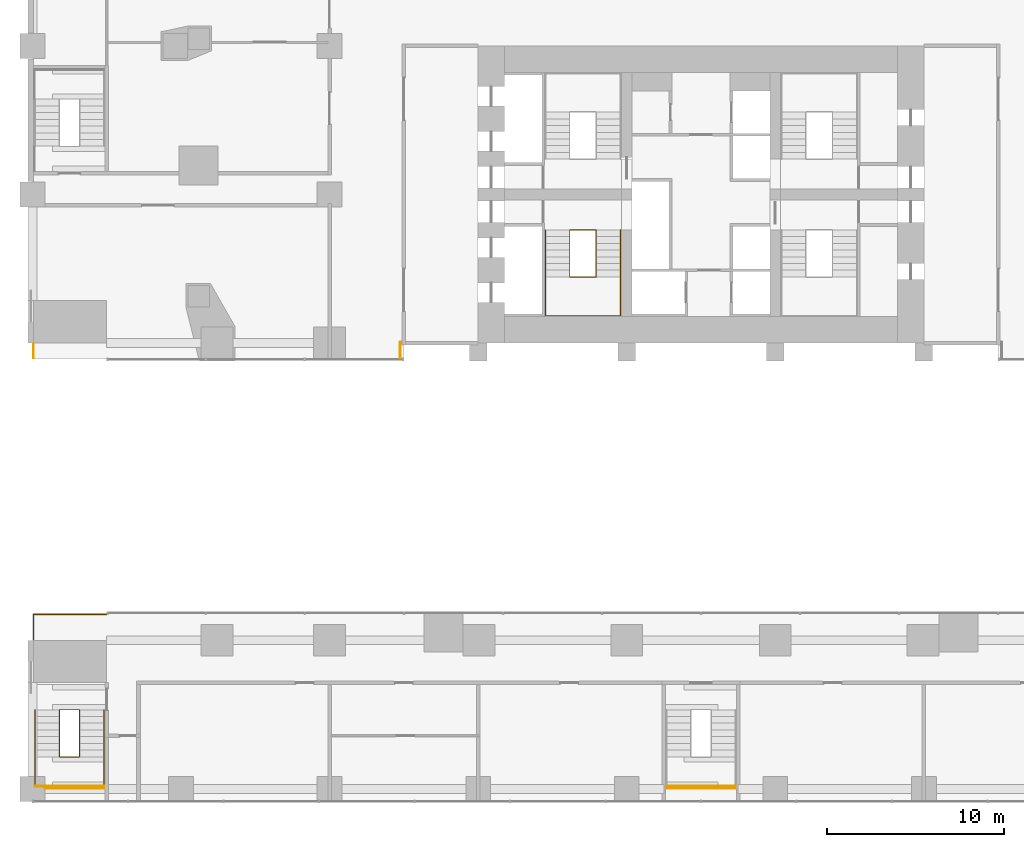
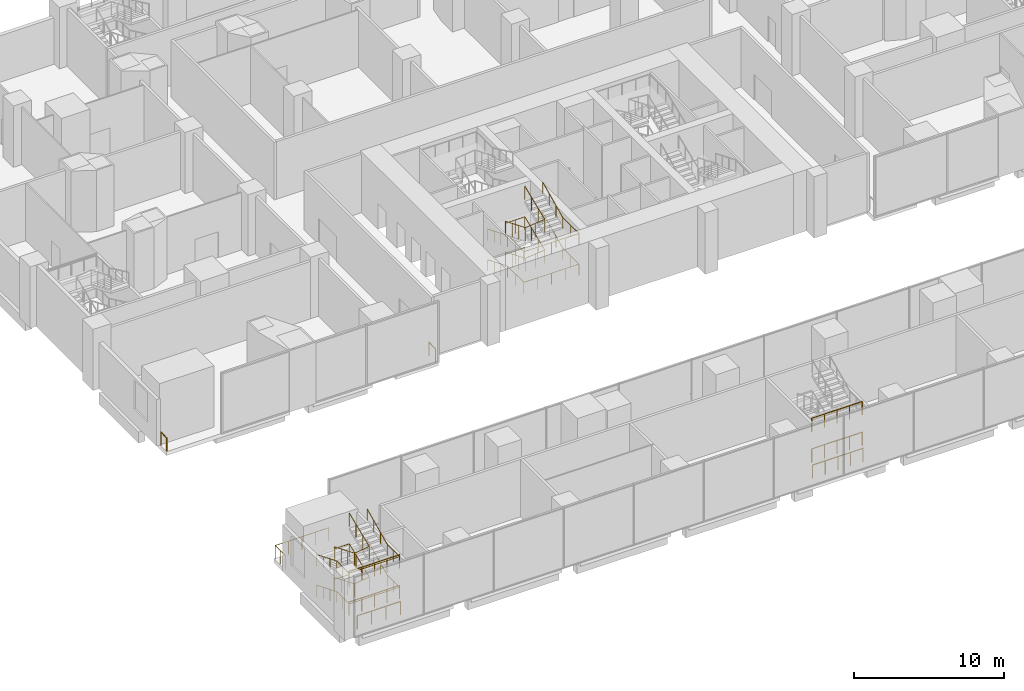
# One storey, part 19 of 24: 17 railings.
"""IFC4 building model written with IfcOpenShell, lengths in metres."""

from ifc_helpers import new_model, si_unit, direction, frame, origin, origin_2d, place, context, subcontext, project, spatial, circle, extrude, material, type_object, element, save


model = new_model("IFC4")

# Units and contexts
model_context = context("Model", 3, precision=1e-05, world=origin(), true_north=direction((0.0, 1.0)))
body_context = subcontext(model_context, "Body", "Model", "MODEL_VIEW")
ifc_project = project(units=[si_unit("LENGTHUNIT", "METRE"), si_unit("AREAUNIT", "SQUARE_METRE"), si_unit("VOLUMEUNIT", "CUBIC_METRE"), si_unit("PLANEANGLEUNIT", "RADIAN"), si_unit("MASSUNIT", "GRAM", prefix="KILO")], contexts=[model_context])

# Site, building, storey
site_placement = place(None, origin())
site = spatial("IfcSite", under=ifc_project, at=site_placement, CompositionType="ELEMENT")
building_placement = place(site_placement, origin())
building = spatial("IfcBuilding", under=site, at=building_placement, Name="Marenta Gate Hotel Tower", CompositionType="ELEMENT")
storey_placement = place(building_placement, frame((0.0, 0.0, 8.0)))
storey = spatial("IfcBuildingStorey", under=building, at=storey_placement, Name="L01", CompositionType="ELEMENT", Elevation=8.0)

# Railings
ifc_material_1 = material(Name="Stainless steel", Category="steel")
railing_type_1 = type_object("IfcRailingType", Name="Core stair handrail 950", PredefinedType="HANDRAIL", material=ifc_material_1)
railing_1_placement = place(storey_placement, frame((-8.800048828125, 6.39990234375, 0.15625)))
element("IfcRailing", 1, at=railing_1_placement, inside=storey, type_object=railing_type_1, Name="HR-950 L01-KR-ST1-1", PredefinedType="HANDRAIL", context=body_context, shape_type="SweptSolid", body=[
    extrude(circle(Radius=0.02392578125, at=origin_2d()), frame((0.0, 0.0, 0.92578125), z_axis=(0.0, -0.924862585091, 0.38030145766), x_axis=(1.0, 0.0, 0.0)), (0.0, 0.0, 1.0), 2.8759765625),
    extrude(circle(Radius=0.02392578125, at=origin_2d()), frame((0.0, -2.659912109375, 2.01953125), z_axis=(0.0, -1.0, 0.0), x_axis=(1.0, 0.0, 0.0)), (0.0, 0.0, 1.0), 2.18994140625),
    extrude(circle(Radius=0.02392578125, at=origin_2d()), frame((0.0, -4.849853515625, 2.01953125), z_axis=(1.0, 0.0, 0.0), x_axis=(0.0, 1.0, 0.0)), (0.0, 0.0, 1.0), 4.25),
    extrude(circle(Radius=0.02392578125, at=origin_2d()), frame((4.25, -4.849853515625, 2.01953125), z_axis=(0.0, 1.0, 0.0), x_axis=(-1.0, 0.0, 0.0)), (0.0, 0.0, 1.0), 2.18994140625),
    extrude(circle(Radius=0.02392578125, at=origin_2d()), frame((4.25, -2.659912109375, 2.01953125), z_axis=(0.0, 0.905044486808, 0.425316913488), x_axis=(-1.0, 0.0, 0.0)), (0.0, 0.0, 1.0), 2.93896484375),
    extrude(circle(Radius=0.02099609375, at=origin_2d()), origin(), (0.0, 0.0, 1.0), 0.90185546875),
    extrude(circle(Radius=0.02099609375, at=origin_2d()), frame((0.0, -0.88671875, 0.364501953125)), (0.0, 0.0, 1.0), 0.90185546875),
    extrude(circle(Radius=0.02099609375, at=origin_2d()), frame((0.0, -1.773193359375, 0.729248046875)), (0.0, 0.0, 1.0), 0.90185546875),
    extrude(circle(Radius=0.02099609375, at=origin_2d()), frame((0.0, -2.659912109375, 1.09375)), (0.0, 0.0, 1.0), 0.90185546875),
    extrude(circle(Radius=0.02099609375, at=origin_2d()), frame((0.0, -3.7548828125, 1.09375)), (0.0, 0.0, 1.0), 0.90185546875),
    extrude(circle(Radius=0.02099609375, at=origin_2d()), frame((0.0, -4.849853515625, 1.09375)), (0.0, 0.0, 1.0), 0.90185546875),
    extrude(circle(Radius=0.02099609375, at=origin_2d()), frame((1.0625, -4.849853515625, 1.09375)), (0.0, 0.0, 1.0), 0.90185546875),
    extrude(circle(Radius=0.02099609375, at=origin_2d()), frame((2.125, -4.849853515625, 1.09375)), (0.0, 0.0, 1.0), 0.90185546875),
    extrude(circle(Radius=0.02099609375, at=origin_2d()), frame((3.1875, -4.849853515625, 1.09375)), (0.0, 0.0, 1.0), 0.90185546875),
    extrude(circle(Radius=0.02099609375, at=origin_2d()), frame((4.25, -4.849853515625, 1.09375)), (0.0, 0.0, 1.0), 0.90185546875),
    extrude(circle(Radius=0.02099609375, at=origin_2d()), frame((4.25, -3.7548828125, 1.09375)), (0.0, 0.0, 1.0), 0.90185546875),
    extrude(circle(Radius=0.02099609375, at=origin_2d()), frame((4.25, -2.659912109375, 1.09375)), (0.0, 0.0, 1.0), 0.90185546875),
    extrude(circle(Radius=0.02099609375, at=origin_2d()), frame((4.25, -1.773193359375, 1.510498046875)), (0.0, 0.0, 1.0), 0.90185546875),
    extrude(circle(Radius=0.02099609375, at=origin_2d()), frame((4.25, -0.88671875, 1.927001953125)), (0.0, 0.0, 1.0), 0.90185546875),
    extrude(circle(Radius=0.02099609375, at=origin_2d()), frame((4.25, 0.0, 2.34375)), (0.0, 0.0, 1.0), 0.90185546875),
])
railing_2_placement = place(storey_placement, frame((-8.800048828125, 6.39990234375, 2.65625)))
element("IfcRailing", 2, at=railing_2_placement, inside=storey, type_object=railing_type_1, Name="HR-950 L01-KR-ST1-3", PredefinedType="HANDRAIL", context=body_context, shape_type="SweptSolid", body=[
    extrude(circle(Radius=0.02392578125, at=origin_2d()), frame((0.0, 0.0, 0.92578125), z_axis=(0.0, -0.924862585091, 0.38030145766), x_axis=(1.0, 0.0, 0.0)), (0.0, 0.0, 1.0), 2.8759765625),
    extrude(circle(Radius=0.02392578125, at=origin_2d()), frame((0.0, -2.659912109375, 2.01953125), z_axis=(0.0, -1.0, 0.0), x_axis=(1.0, 0.0, 0.0)), (0.0, 0.0, 1.0), 2.18994140625),
    extrude(circle(Radius=0.02392578125, at=origin_2d()), frame((0.0, -4.849853515625, 2.01953125), z_axis=(1.0, 0.0, 0.0), x_axis=(0.0, 1.0, 0.0)), (0.0, 0.0, 1.0), 4.25),
    extrude(circle(Radius=0.02392578125, at=origin_2d()), frame((4.25, -4.849853515625, 2.01953125), z_axis=(0.0, 1.0, 0.0), x_axis=(-1.0, 0.0, 0.0)), (0.0, 0.0, 1.0), 2.18994140625),
    extrude(circle(Radius=0.02392578125, at=origin_2d()), frame((4.25, -2.659912109375, 2.01953125), z_axis=(0.0, 0.905044486808, 0.425316913488), x_axis=(-1.0, 0.0, 0.0)), (0.0, 0.0, 1.0), 2.93896484375),
    extrude(circle(Radius=0.02099609375, at=origin_2d()), origin(), (0.0, 0.0, 1.0), 0.90185546875),
    extrude(circle(Radius=0.02099609375, at=origin_2d()), frame((0.0, -0.88671875, 0.364501953125)), (0.0, 0.0, 1.0), 0.90185546875),
    extrude(circle(Radius=0.02099609375, at=origin_2d()), frame((0.0, -1.773193359375, 0.729248046875)), (0.0, 0.0, 1.0), 0.90185546875),
    extrude(circle(Radius=0.02099609375, at=origin_2d()), frame((0.0, -2.659912109375, 1.09375)), (0.0, 0.0, 1.0), 0.90185546875),
    extrude(circle(Radius=0.02099609375, at=origin_2d()), frame((0.0, -3.7548828125, 1.09375)), (0.0, 0.0, 1.0), 0.90185546875),
    extrude(circle(Radius=0.02099609375, at=origin_2d()), frame((0.0, -4.849853515625, 1.09375)), (0.0, 0.0, 1.0), 0.90185546875),
    extrude(circle(Radius=0.02099609375, at=origin_2d()), frame((1.0625, -4.849853515625, 1.09375)), (0.0, 0.0, 1.0), 0.90185546875),
    extrude(circle(Radius=0.02099609375, at=origin_2d()), frame((2.125, -4.849853515625, 1.09375)), (0.0, 0.0, 1.0), 0.90185546875),
    extrude(circle(Radius=0.02099609375, at=origin_2d()), frame((3.1875, -4.849853515625, 1.09375)), (0.0, 0.0, 1.0), 0.90185546875),
    extrude(circle(Radius=0.02099609375, at=origin_2d()), frame((4.25, -4.849853515625, 1.09375)), (0.0, 0.0, 1.0), 0.90185546875),
    extrude(circle(Radius=0.02099609375, at=origin_2d()), frame((4.25, -3.7548828125, 1.09375)), (0.0, 0.0, 1.0), 0.90185546875),
    extrude(circle(Radius=0.02099609375, at=origin_2d()), frame((4.25, -2.659912109375, 1.09375)), (0.0, 0.0, 1.0), 0.90185546875),
    extrude(circle(Radius=0.02099609375, at=origin_2d()), frame((4.25, -1.773193359375, 1.510498046875)), (0.0, 0.0, 1.0), 0.90185546875),
    extrude(circle(Radius=0.02099609375, at=origin_2d()), frame((4.25, -0.88671875, 1.927001953125)), (0.0, 0.0, 1.0), 0.90185546875),
    extrude(circle(Radius=0.02099609375, at=origin_2d()), frame((4.25, 0.0, 2.34375)), (0.0, 0.0, 1.0), 0.90185546875),
])
railing_3_placement = place(storey_placement, frame((-37.64990234375, -20.72998046875, 0.15625)))
element("IfcRailing", 3, at=railing_3_placement, inside=storey, type_object=railing_type_1, Name="HR-950 L01-KR-PX1-2", PredefinedType="HANDRAIL", context=body_context, shape_type="SweptSolid", body=[
    extrude(circle(Radius=0.02392578125, at=origin_2d()), frame((0.0, 0.0, 0.92578125), z_axis=(0.0, -0.924862585091, 0.38030145766), x_axis=(1.0, 0.0, 0.0)), (0.0, 0.0, 1.0), 2.8759765625),
    extrude(circle(Radius=0.02392578125, at=origin_2d()), frame((0.0, -2.659912109375, 2.01953125), z_axis=(0.0, -1.0, 0.0), x_axis=(1.0, 0.0, 0.0)), (0.0, 0.0, 1.0), 1.66015625),
    extrude(circle(Radius=0.02392578125, at=origin_2d()), frame((0.0, -4.320068359375, 2.01953125), z_axis=(1.0, 0.0, 0.0), x_axis=(0.0, 1.0, 0.0)), (0.0, 0.0, 1.0), 3.89990234375),
    extrude(circle(Radius=0.02392578125, at=origin_2d()), frame((3.89990234375, -4.320068359375, 2.01953125), z_axis=(0.0, 1.0, 0.0), x_axis=(-1.0, 0.0, 0.0)), (0.0, 0.0, 1.0), 1.66015625),
    extrude(circle(Radius=0.02392578125, at=origin_2d()), frame((3.89990234375, -2.659912109375, 2.01953125), z_axis=(0.0, 0.905044486808, 0.425316913488), x_axis=(-1.0, 0.0, 0.0)), (0.0, 0.0, 1.0), 2.93896484375),
    extrude(circle(Radius=0.02099609375, at=origin_2d()), origin(), (0.0, 0.0, 1.0), 0.90185546875),
    extrude(circle(Radius=0.02099609375, at=origin_2d()), frame((0.0, -0.88671875, 0.364501953125)), (0.0, 0.0, 1.0), 0.90185546875),
    extrude(circle(Radius=0.02099609375, at=origin_2d()), frame((0.0, -1.773193359375, 0.729248046875)), (0.0, 0.0, 1.0), 0.90185546875),
    extrude(circle(Radius=0.02099609375, at=origin_2d()), frame((0.0, -2.659912109375, 1.09375)), (0.0, 0.0, 1.0), 0.90185546875),
    extrude(circle(Radius=0.02099609375, at=origin_2d()), frame((0.0, -3.489990234375, 1.09375)), (0.0, 0.0, 1.0), 0.90185546875),
    extrude(circle(Radius=0.02099609375, at=origin_2d()), frame((0.0, -4.320068359375, 1.09375)), (0.0, 0.0, 1.0), 0.90185546875),
    extrude(circle(Radius=0.02099609375, at=origin_2d()), frame((0.97509765625, -4.320068359375, 1.09375)), (0.0, 0.0, 1.0), 0.90185546875),
    extrude(circle(Radius=0.02099609375, at=origin_2d()), frame((1.949951171875, -4.320068359375, 1.09375)), (0.0, 0.0, 1.0), 0.90185546875),
    extrude(circle(Radius=0.02099609375, at=origin_2d()), frame((2.9248046875, -4.320068359375, 1.09375)), (0.0, 0.0, 1.0), 0.90185546875),
    extrude(circle(Radius=0.02099609375, at=origin_2d()), frame((3.89990234375, -4.320068359375, 1.09375)), (0.0, 0.0, 1.0), 0.90185546875),
    extrude(circle(Radius=0.02099609375, at=origin_2d()), frame((3.89990234375, -3.489990234375, 1.09375)), (0.0, 0.0, 1.0), 0.90185546875),
    extrude(circle(Radius=0.02099609375, at=origin_2d()), frame((3.89990234375, -2.659912109375, 1.09375)), (0.0, 0.0, 1.0), 0.90185546875),
    extrude(circle(Radius=0.02099609375, at=origin_2d()), frame((3.89990234375, -1.773193359375, 1.510498046875)), (0.0, 0.0, 1.0), 0.90185546875),
    extrude(circle(Radius=0.02099609375, at=origin_2d()), frame((3.89990234375, -0.88671875, 1.927001953125)), (0.0, 0.0, 1.0), 0.90185546875),
    extrude(circle(Radius=0.02099609375, at=origin_2d()), frame((3.89990234375, 0.0, 2.34375)), (0.0, 0.0, 1.0), 0.90185546875),
])
railing_4_placement = place(storey_placement, frame((-37.64990234375, -20.72998046875, 2.65625)))
element("IfcRailing", 4, at=railing_4_placement, inside=storey, type_object=railing_type_1, Name="HR-950 L01-KR-PX1-5", PredefinedType="HANDRAIL", context=body_context, shape_type="SweptSolid", body=[
    extrude(circle(Radius=0.02392578125, at=origin_2d()), frame((0.0, 0.0, 0.92578125), z_axis=(0.0, -0.924862585091, 0.38030145766), x_axis=(1.0, 0.0, 0.0)), (0.0, 0.0, 1.0), 2.8759765625),
    extrude(circle(Radius=0.02392578125, at=origin_2d()), frame((0.0, -2.659912109375, 2.01953125), z_axis=(0.0, -1.0, 0.0), x_axis=(1.0, 0.0, 0.0)), (0.0, 0.0, 1.0), 1.66015625),
    extrude(circle(Radius=0.02392578125, at=origin_2d()), frame((0.0, -4.320068359375, 2.01953125), z_axis=(1.0, 0.0, 0.0), x_axis=(0.0, 1.0, 0.0)), (0.0, 0.0, 1.0), 3.89990234375),
    extrude(circle(Radius=0.02392578125, at=origin_2d()), frame((3.89990234375, -4.320068359375, 2.01953125), z_axis=(0.0, 1.0, 0.0), x_axis=(-1.0, 0.0, 0.0)), (0.0, 0.0, 1.0), 1.66015625),
    extrude(circle(Radius=0.02392578125, at=origin_2d()), frame((3.89990234375, -2.659912109375, 2.01953125), z_axis=(0.0, 0.905044486808, 0.425316913488), x_axis=(-1.0, 0.0, 0.0)), (0.0, 0.0, 1.0), 2.93896484375),
    extrude(circle(Radius=0.02099609375, at=origin_2d()), origin(), (0.0, 0.0, 1.0), 0.90185546875),
    extrude(circle(Radius=0.02099609375, at=origin_2d()), frame((0.0, -0.88671875, 0.364501953125)), (0.0, 0.0, 1.0), 0.90185546875),
    extrude(circle(Radius=0.02099609375, at=origin_2d()), frame((0.0, -1.773193359375, 0.729248046875)), (0.0, 0.0, 1.0), 0.90185546875),
    extrude(circle(Radius=0.02099609375, at=origin_2d()), frame((0.0, -2.659912109375, 1.09375)), (0.0, 0.0, 1.0), 0.90185546875),
    extrude(circle(Radius=0.02099609375, at=origin_2d()), frame((0.0, -3.489990234375, 1.09375)), (0.0, 0.0, 1.0), 0.90185546875),
    extrude(circle(Radius=0.02099609375, at=origin_2d()), frame((0.0, -4.320068359375, 1.09375)), (0.0, 0.0, 1.0), 0.90185546875),
    extrude(circle(Radius=0.02099609375, at=origin_2d()), frame((0.97509765625, -4.320068359375, 1.09375)), (0.0, 0.0, 1.0), 0.90185546875),
    extrude(circle(Radius=0.02099609375, at=origin_2d()), frame((1.949951171875, -4.320068359375, 1.09375)), (0.0, 0.0, 1.0), 0.90185546875),
    extrude(circle(Radius=0.02099609375, at=origin_2d()), frame((2.9248046875, -4.320068359375, 1.09375)), (0.0, 0.0, 1.0), 0.90185546875),
    extrude(circle(Radius=0.02099609375, at=origin_2d()), frame((3.89990234375, -4.320068359375, 1.09375)), (0.0, 0.0, 1.0), 0.90185546875),
    extrude(circle(Radius=0.02099609375, at=origin_2d()), frame((3.89990234375, -3.489990234375, 1.09375)), (0.0, 0.0, 1.0), 0.90185546875),
    extrude(circle(Radius=0.02099609375, at=origin_2d()), frame((3.89990234375, -2.659912109375, 1.09375)), (0.0, 0.0, 1.0), 0.90185546875),
    extrude(circle(Radius=0.02099609375, at=origin_2d()), frame((3.89990234375, -1.773193359375, 1.510498046875)), (0.0, 0.0, 1.0), 0.90185546875),
    extrude(circle(Radius=0.02099609375, at=origin_2d()), frame((3.89990234375, -0.88671875, 1.927001953125)), (0.0, 0.0, 1.0), 0.90185546875),
    extrude(circle(Radius=0.02099609375, at=origin_2d()), frame((3.89990234375, 0.0, 2.34375)), (0.0, 0.0, 1.0), 0.90185546875),
])
ifc_material_2 = material(Name="Stainless steel", Category="steel")
railing_type_2 = type_object("IfcRailingType", Name="Core stair well guard 1100", PredefinedType="GUARDRAIL", material=ifc_material_2)
railing_5_placement = place(storey_placement, frame((-5.929931640625, 6.39990234375, 0.0)))
element("IfcRailing", 5, at=railing_5_placement, inside=storey, type_object=railing_type_2, Name="GR-1100 L01-KR-ST1-2", PredefinedType="GUARDRAIL", context=body_context, shape_type="SweptSolid", body=[
    extrude(circle(Radius=0.02392578125, at=origin_2d()), frame((0.0, 0.0, 1.076171875), z_axis=(-1.0, 0.0, 0.0), x_axis=(0.0, -1.0, 0.0)), (0.0, 0.0, 1.0), 1.489990234375),
    extrude(circle(Radius=0.02392578125, at=origin_2d()), frame((-1.489990234375, 0.0, 1.076171875), z_axis=(0.0, 0.0, 1.0), x_axis=(1.0, 0.0, 0.0)), (0.0, 0.0, 1.0), 0.15625),
    extrude(circle(Radius=0.02392578125, at=origin_2d()), frame((-1.489990234375, 0.0, 1.232421875), z_axis=(0.0, -0.924862585091, 0.38030145766), x_axis=(1.0, 0.0, 0.0)), (0.0, 0.0, 1.0), 2.8759765625),
    extrude(circle(Radius=0.02392578125, at=origin_2d()), frame((-1.489990234375, -2.659912109375, 2.326171875), z_axis=(0.994546451282, 0.0, 0.104294564775), x_axis=(0.0, 1.0, 0.0)), (0.0, 0.0, 1.0), 1.498046875),
    extrude(circle(Radius=0.02392578125, at=origin_2d()), frame((0.0, -2.659912109375, 2.482421875), z_axis=(0.0, 0.924862585091, 0.38030145766), x_axis=(-1.0, 0.0, 0.0)), (0.0, 0.0, 1.0), 2.8759765625),
    extrude(circle(Radius=0.02099609375, at=origin_2d()), origin(), (0.0, 0.0, 1.0), 1.052001953125),
    extrude(circle(Radius=0.02099609375, at=origin_2d()), frame((-0.7451171875, 0.0, 0.0)), (0.0, 0.0, 1.0), 1.052001953125),
    extrude(circle(Radius=0.02099609375, at=origin_2d()), frame((-1.489990234375, 0.0, 0.0)), (0.0, 0.0, 1.0), 1.052001953125),
    extrude(circle(Radius=0.02099609375, at=origin_2d()), frame((-1.489990234375, 0.0, 0.15625)), (0.0, 0.0, 1.0), 1.052001953125),
    extrude(circle(Radius=0.02099609375, at=origin_2d()), frame((-1.489990234375, -0.88671875, 0.520751953125)), (0.0, 0.0, 1.0), 1.052001953125),
    extrude(circle(Radius=0.02099609375, at=origin_2d()), frame((-1.489990234375, -1.773193359375, 0.885498046875)), (0.0, 0.0, 1.0), 1.052001953125),
    extrude(circle(Radius=0.02099609375, at=origin_2d()), frame((-1.489990234375, -2.659912109375, 1.25)), (0.0, 0.0, 1.0), 1.052001953125),
    extrude(circle(Radius=0.02099609375, at=origin_2d()), frame((-0.7451171875, -2.659912109375, 1.328125)), (0.0, 0.0, 1.0), 1.052001953125),
    extrude(circle(Radius=0.02099609375, at=origin_2d()), frame((0.0, -2.659912109375, 1.40625)), (0.0, 0.0, 1.0), 1.052001953125),
    extrude(circle(Radius=0.02099609375, at=origin_2d()), frame((0.0, -1.773193359375, 1.770751953125)), (0.0, 0.0, 1.0), 1.052001953125),
    extrude(circle(Radius=0.02099609375, at=origin_2d()), frame((0.0, -0.88671875, 2.135498046875)), (0.0, 0.0, 1.0), 1.052001953125),
    extrude(circle(Radius=0.02099609375, at=origin_2d()), frame((0.0, 0.0, 2.5)), (0.0, 0.0, 1.0), 1.052001953125),
])
railing_6_placement = place(storey_placement, frame((-5.929931640625, 6.39990234375, 2.5)))
element("IfcRailing", 6, at=railing_6_placement, inside=storey, type_object=railing_type_2, Name="GR-1100 L01-KR-ST1-4", PredefinedType="GUARDRAIL", context=body_context, shape_type="SweptSolid", body=[
    extrude(circle(Radius=0.02392578125, at=origin_2d()), frame((0.0, 0.0, 1.076171875), z_axis=(-1.0, 0.0, 0.0), x_axis=(0.0, -1.0, 0.0)), (0.0, 0.0, 1.0), 1.489990234375),
    extrude(circle(Radius=0.02392578125, at=origin_2d()), frame((-1.489990234375, 0.0, 1.076171875), z_axis=(0.0, 0.0, 1.0), x_axis=(1.0, 0.0, 0.0)), (0.0, 0.0, 1.0), 0.15625),
    extrude(circle(Radius=0.02392578125, at=origin_2d()), frame((-1.489990234375, 0.0, 1.232421875), z_axis=(0.0, -0.924862585091, 0.38030145766), x_axis=(1.0, 0.0, 0.0)), (0.0, 0.0, 1.0), 2.8759765625),
    extrude(circle(Radius=0.02392578125, at=origin_2d()), frame((-1.489990234375, -2.659912109375, 2.326171875), z_axis=(0.994546451282, 0.0, 0.104294564775), x_axis=(0.0, 1.0, 0.0)), (0.0, 0.0, 1.0), 1.498046875),
    extrude(circle(Radius=0.02392578125, at=origin_2d()), frame((0.0, -2.659912109375, 2.482421875), z_axis=(0.0, 0.924862585091, 0.38030145766), x_axis=(-1.0, 0.0, 0.0)), (0.0, 0.0, 1.0), 2.8759765625),
    extrude(circle(Radius=0.02099609375, at=origin_2d()), origin(), (0.0, 0.0, 1.0), 1.052001953125),
    extrude(circle(Radius=0.02099609375, at=origin_2d()), frame((-0.7451171875, 0.0, 0.0)), (0.0, 0.0, 1.0), 1.052001953125),
    extrude(circle(Radius=0.02099609375, at=origin_2d()), frame((-1.489990234375, 0.0, 0.0)), (0.0, 0.0, 1.0), 1.052001953125),
    extrude(circle(Radius=0.02099609375, at=origin_2d()), frame((-1.489990234375, 0.0, 0.15625)), (0.0, 0.0, 1.0), 1.052001953125),
    extrude(circle(Radius=0.02099609375, at=origin_2d()), frame((-1.489990234375, -0.88671875, 0.520751953125)), (0.0, 0.0, 1.0), 1.052001953125),
    extrude(circle(Radius=0.02099609375, at=origin_2d()), frame((-1.489990234375, -1.773193359375, 0.885498046875)), (0.0, 0.0, 1.0), 1.052001953125),
    extrude(circle(Radius=0.02099609375, at=origin_2d()), frame((-1.489990234375, -2.659912109375, 1.25)), (0.0, 0.0, 1.0), 1.052001953125),
    extrude(circle(Radius=0.02099609375, at=origin_2d()), frame((-0.7451171875, -2.659912109375, 1.328125)), (0.0, 0.0, 1.0), 1.052001953125),
    extrude(circle(Radius=0.02099609375, at=origin_2d()), frame((0.0, -2.659912109375, 1.40625)), (0.0, 0.0, 1.0), 1.052001953125),
    extrude(circle(Radius=0.02099609375, at=origin_2d()), frame((0.0, -1.773193359375, 1.770751953125)), (0.0, 0.0, 1.0), 1.052001953125),
    extrude(circle(Radius=0.02099609375, at=origin_2d()), frame((0.0, -0.88671875, 2.135498046875)), (0.0, 0.0, 1.0), 1.052001953125),
    extrude(circle(Radius=0.02099609375, at=origin_2d()), frame((0.0, 0.0, 2.5)), (0.0, 0.0, 1.0), 1.052001953125),
])
railing_7_placement = place(storey_placement, frame((-37.64990234375, -25.050048828125, 1.25)))
element("IfcRailing", 7, at=railing_7_placement, inside=storey, type_object=railing_type_2, Name="GR-1100 L01-KR-PX1-1", PredefinedType="GUARDRAIL", context=body_context, shape_type="SweptSolid", body=[
    extrude(circle(Radius=0.02392578125, at=origin_2d()), frame((0.0, 0.0, 1.076171875), z_axis=(1.0, 0.0, 0.0), x_axis=(0.0, 1.0, 0.0)), (0.0, 0.0, 1.0), 3.89990234375),
    extrude(circle(Radius=0.02099609375, at=origin_2d()), origin(), (0.0, 0.0, 1.0), 1.052001953125),
    extrude(circle(Radius=0.02099609375, at=origin_2d()), frame((0.97509765625, 0.0, 0.0)), (0.0, 0.0, 1.0), 1.052001953125),
    extrude(circle(Radius=0.02099609375, at=origin_2d()), frame((1.949951171875, 0.0, 0.0)), (0.0, 0.0, 1.0), 1.052001953125),
    extrude(circle(Radius=0.02099609375, at=origin_2d()), frame((2.9248046875, 0.0, 0.0)), (0.0, 0.0, 1.0), 1.052001953125),
    extrude(circle(Radius=0.02099609375, at=origin_2d()), frame((3.89990234375, 0.0, 0.0)), (0.0, 0.0, 1.0), 1.052001953125),
])
railing_8_placement = place(storey_placement, frame((-35.1298828125, -20.72998046875, 0.0)))
element("IfcRailing", 8, at=railing_8_placement, inside=storey, type_object=railing_type_2, Name="GR-1100 L01-KR-PX1-3", PredefinedType="GUARDRAIL", context=body_context, shape_type="SweptSolid", body=[
    extrude(circle(Radius=0.02392578125, at=origin_2d()), frame((0.0, 0.0, 1.076171875), z_axis=(-1.0, 0.0, 0.0), x_axis=(0.0, -1.0, 0.0)), (0.0, 0.0, 1.0), 1.14013671875),
    extrude(circle(Radius=0.02392578125, at=origin_2d()), frame((-1.14013671875, 0.0, 1.076171875), z_axis=(0.0, 0.0, 1.0), x_axis=(1.0, 0.0, 0.0)), (0.0, 0.0, 1.0), 0.15625),
    extrude(circle(Radius=0.02392578125, at=origin_2d()), frame((-1.14013671875, 0.0, 1.232421875), z_axis=(0.0, -0.924862585091, 0.38030145766), x_axis=(1.0, 0.0, 0.0)), (0.0, 0.0, 1.0), 2.8759765625),
    extrude(circle(Radius=0.02392578125, at=origin_2d()), frame((-1.14013671875, -2.659912109375, 2.326171875), z_axis=(0.990739578357, 0.0, 0.135775873693), x_axis=(0.0, 1.0, 0.0)), (0.0, 0.0, 1.0), 1.15087890625),
    extrude(circle(Radius=0.02392578125, at=origin_2d()), frame((0.0, -2.659912109375, 2.482421875), z_axis=(0.0, 0.924862585091, 0.38030145766), x_axis=(-1.0, 0.0, 0.0)), (0.0, 0.0, 1.0), 2.8759765625),
    extrude(circle(Radius=0.02099609375, at=origin_2d()), origin(), (0.0, 0.0, 1.0), 1.052001953125),
    extrude(circle(Radius=0.02099609375, at=origin_2d()), frame((-1.14013671875, 0.0, 0.0)), (0.0, 0.0, 1.0), 1.052001953125),
    extrude(circle(Radius=0.02099609375, at=origin_2d()), frame((-1.14013671875, 0.0, 0.15625)), (0.0, 0.0, 1.0), 1.052001953125),
    extrude(circle(Radius=0.02099609375, at=origin_2d()), frame((-1.14013671875, -0.88671875, 0.520751953125)), (0.0, 0.0, 1.0), 1.052001953125),
    extrude(circle(Radius=0.02099609375, at=origin_2d()), frame((-1.14013671875, -1.773193359375, 0.885498046875)), (0.0, 0.0, 1.0), 1.052001953125),
    extrude(circle(Radius=0.02099609375, at=origin_2d()), frame((-1.14013671875, -2.659912109375, 1.25)), (0.0, 0.0, 1.0), 1.052001953125),
    extrude(circle(Radius=0.02099609375, at=origin_2d()), frame((0.0, -2.659912109375, 1.40625)), (0.0, 0.0, 1.0), 1.052001953125),
    extrude(circle(Radius=0.02099609375, at=origin_2d()), frame((0.0, -1.773193359375, 1.770751953125)), (0.0, 0.0, 1.0), 1.052001953125),
    extrude(circle(Radius=0.02099609375, at=origin_2d()), frame((0.0, -0.88671875, 2.135498046875)), (0.0, 0.0, 1.0), 1.052001953125),
    extrude(circle(Radius=0.02099609375, at=origin_2d()), frame((0.0, 0.0, 2.5)), (0.0, 0.0, 1.0), 1.052001953125),
])
railing_9_placement = place(storey_placement, frame((-37.64990234375, -25.050048828125, 3.75)))
element("IfcRailing", 9, at=railing_9_placement, inside=storey, type_object=railing_type_2, Name="GR-1100 L01-KR-PX1-4", PredefinedType="GUARDRAIL", context=body_context, shape_type="SweptSolid", body=[
    extrude(circle(Radius=0.02392578125, at=origin_2d()), frame((0.0, 0.0, 1.076171875), z_axis=(1.0, 0.0, 0.0), x_axis=(0.0, 1.0, 0.0)), (0.0, 0.0, 1.0), 3.89990234375),
    extrude(circle(Radius=0.02099609375, at=origin_2d()), origin(), (0.0, 0.0, 1.0), 1.052001953125),
    extrude(circle(Radius=0.02099609375, at=origin_2d()), frame((0.97509765625, 0.0, 0.0)), (0.0, 0.0, 1.0), 1.052001953125),
    extrude(circle(Radius=0.02099609375, at=origin_2d()), frame((1.949951171875, 0.0, 0.0)), (0.0, 0.0, 1.0), 1.052001953125),
    extrude(circle(Radius=0.02099609375, at=origin_2d()), frame((2.9248046875, 0.0, 0.0)), (0.0, 0.0, 1.0), 1.052001953125),
    extrude(circle(Radius=0.02099609375, at=origin_2d()), frame((3.89990234375, 0.0, 0.0)), (0.0, 0.0, 1.0), 1.052001953125),
])
railing_10_placement = place(storey_placement, frame((-35.1298828125, -20.72998046875, 2.5)))
element("IfcRailing", 10, at=railing_10_placement, inside=storey, type_object=railing_type_2, Name="GR-1100 L01-KR-PX1-6", PredefinedType="GUARDRAIL", context=body_context, shape_type="SweptSolid", body=[
    extrude(circle(Radius=0.02392578125, at=origin_2d()), frame((0.0, 0.0, 1.076171875), z_axis=(-1.0, 0.0, 0.0), x_axis=(0.0, -1.0, 0.0)), (0.0, 0.0, 1.0), 1.14013671875),
    extrude(circle(Radius=0.02392578125, at=origin_2d()), frame((-1.14013671875, 0.0, 1.076171875), z_axis=(0.0, 0.0, 1.0), x_axis=(1.0, 0.0, 0.0)), (0.0, 0.0, 1.0), 0.15625),
    extrude(circle(Radius=0.02392578125, at=origin_2d()), frame((-1.14013671875, 0.0, 1.232421875), z_axis=(0.0, -0.924862585091, 0.38030145766), x_axis=(1.0, 0.0, 0.0)), (0.0, 0.0, 1.0), 2.8759765625),
    extrude(circle(Radius=0.02392578125, at=origin_2d()), frame((-1.14013671875, -2.659912109375, 2.326171875), z_axis=(0.990739578357, 0.0, 0.135775873693), x_axis=(0.0, 1.0, 0.0)), (0.0, 0.0, 1.0), 1.15087890625),
    extrude(circle(Radius=0.02392578125, at=origin_2d()), frame((0.0, -2.659912109375, 2.482421875), z_axis=(0.0, 0.924862585091, 0.38030145766), x_axis=(-1.0, 0.0, 0.0)), (0.0, 0.0, 1.0), 2.8759765625),
    extrude(circle(Radius=0.02099609375, at=origin_2d()), origin(), (0.0, 0.0, 1.0), 1.052001953125),
    extrude(circle(Radius=0.02099609375, at=origin_2d()), frame((-1.14013671875, 0.0, 0.0)), (0.0, 0.0, 1.0), 1.052001953125),
    extrude(circle(Radius=0.02099609375, at=origin_2d()), frame((-1.14013671875, 0.0, 0.15625)), (0.0, 0.0, 1.0), 1.052001953125),
    extrude(circle(Radius=0.02099609375, at=origin_2d()), frame((-1.14013671875, -0.88671875, 0.520751953125)), (0.0, 0.0, 1.0), 1.052001953125),
    extrude(circle(Radius=0.02099609375, at=origin_2d()), frame((-1.14013671875, -1.773193359375, 0.885498046875)), (0.0, 0.0, 1.0), 1.052001953125),
    extrude(circle(Radius=0.02099609375, at=origin_2d()), frame((-1.14013671875, -2.659912109375, 1.25)), (0.0, 0.0, 1.0), 1.052001953125),
    extrude(circle(Radius=0.02099609375, at=origin_2d()), frame((0.0, -2.659912109375, 1.40625)), (0.0, 0.0, 1.0), 1.052001953125),
    extrude(circle(Radius=0.02099609375, at=origin_2d()), frame((0.0, -1.773193359375, 1.770751953125)), (0.0, 0.0, 1.0), 1.052001953125),
    extrude(circle(Radius=0.02099609375, at=origin_2d()), frame((0.0, -0.88671875, 2.135498046875)), (0.0, 0.0, 1.0), 1.052001953125),
    extrude(circle(Radius=0.02099609375, at=origin_2d()), frame((0.0, 0.0, 2.5)), (0.0, 0.0, 1.0), 1.052001953125),
])
for number, where, name in (
    (11, (-1.949951171875, -25.050048828125, 1.25), "GR-1100 L01-KR-PX5-1"),
    (12, (-1.949951171875, -25.050048828125, 3.75), "GR-1100 L01-KR-PX5-4"),
):
    element("IfcRailing", number, at=place(storey_placement, frame(where)), inside=storey, type_object=railing_type_2, Name=name, PredefinedType="GUARDRAIL", context=body_context, shape_type="SweptSolid", body=[
        extrude(circle(Radius=0.02392578125, at=origin_2d()), frame((0.0, 0.0, 1.076171875), z_axis=(1.0, 0.0, 0.0), x_axis=(0.0, 1.0, 0.0)), (0.0, 0.0, 1.0), 3.89990234375),
        extrude(circle(Radius=0.02099609375, at=origin_2d()), origin(), (0.0, 0.0, 1.0), 1.052001953125),
        extrude(circle(Radius=0.02099609375, at=origin_2d()), frame((0.97509765625, 0.0, 0.0)), (0.0, 0.0, 1.0), 1.052001953125),
        extrude(circle(Radius=0.02099609375, at=origin_2d()), frame((1.949951171875, 0.0, 0.0)), (0.0, 0.0, 1.0), 1.052001953125),
        extrude(circle(Radius=0.02099609375, at=origin_2d()), frame((2.9248046875, 0.0, 0.0)), (0.0, 0.0, 1.0), 1.052001953125),
        extrude(circle(Radius=0.02099609375, at=origin_2d()), frame((3.89990234375, 0.0, 0.0)), (0.0, 0.0, 1.0), 1.052001953125),
    ])
ifc_material_3 = material(Name="Stainless steel", Category="steel")
railing_type_3 = type_object("IfcRailingType", Name="Guard 1100 stainless balustrade", PredefinedType="GUARDRAIL", material=ifc_material_3)
railing_11_placement = place(storey_placement, frame((-33.60009765625, -15.330078125, 0.0)))
element("IfcRailing", 13, at=railing_11_placement, inside=storey, type_object=railing_type_3, Name="Guard", PredefinedType="GUARDRAIL", context=body_context, shape_type="SweptSolid", body=[
    extrude(circle(Radius=0.02392578125, at=origin_2d()), frame((0.0, 0.0, 1.076171875), z_axis=(-1.0, 0.0, 0.0), x_axis=(0.0, -1.0, 0.0)), (0.0, 0.0, 1.0), 4.139892578125),
    extrude(circle(Radius=0.02392578125, at=origin_2d()), frame((-4.139892578125, 0.0, 1.076171875), z_axis=(0.0, -1.0, 0.0), x_axis=(1.0, 0.0, 0.0)), (0.0, 0.0, 1.0), 1.409912109375),
    extrude(circle(Radius=0.02099609375, at=origin_2d()), origin(), (0.0, 0.0, 1.0), 1.052001953125),
    extrude(circle(Radius=0.02099609375, at=origin_2d()), frame((-1.034912109375, 0.0, 0.0)), (0.0, 0.0, 1.0), 1.052001953125),
    extrude(circle(Radius=0.02099609375, at=origin_2d()), frame((-2.06982421875, 0.0, 0.0)), (0.0, 0.0, 1.0), 1.052001953125),
    extrude(circle(Radius=0.02099609375, at=origin_2d()), frame((-3.10498046875, 0.0, 0.0)), (0.0, 0.0, 1.0), 1.052001953125),
    extrude(circle(Radius=0.02099609375, at=origin_2d()), frame((-4.139892578125, 0.0, 0.0)), (0.0, 0.0, 1.0), 1.052001953125),
    extrude(circle(Radius=0.02099609375, at=origin_2d()), frame((-4.139892578125, -0.705078125, 0.0)), (0.0, 0.0, 1.0), 1.052001953125),
    extrude(circle(Radius=0.02099609375, at=origin_2d()), frame((-4.139892578125, -1.409912109375, 0.0)), (0.0, 0.0, 1.0), 1.052001953125),
])
railing_12_placement = place(storey_placement, frame((-37.739990234375, -0.840087890625, 0.0)))
element("IfcRailing", 14, at=railing_12_placement, inside=storey, type_object=railing_type_3, Name="Guard", PredefinedType="GUARDRAIL", context=body_context, shape_type="SweptSolid", body=[
    extrude(circle(Radius=0.02392578125, at=origin_2d()), frame((0.0, 0.0, 1.076171875), z_axis=(0.0, 1.0, 0.0), x_axis=(-1.0, 0.0, 0.0)), (0.0, 0.0, 1.0), 0.780029296875),
    extrude(circle(Radius=0.02099609375, at=origin_2d()), origin(), (0.0, 0.0, 1.0), 1.052001953125),
    extrude(circle(Radius=0.02099609375, at=origin_2d()), frame((0.0, 0.780029296875, 0.0)), (0.0, 0.0, 1.0), 1.052001953125),
])
ifc_material_4 = material(Name="Stainless steel", Category="steel")
railing_type_4 = type_object("IfcRailingType", Name="Slab edge guard 1100", PredefinedType="GUARDRAIL", material=ifc_material_4)
railing_13_placement = place(storey_placement, frame((-17.0, -0.85009765625, 0.0)))
element("IfcRailing", 15, at=railing_13_placement, inside=storey, type_object=railing_type_4, Name="GR-1100E L01-PGD-W", PredefinedType="GUARDRAIL", context=body_context, shape_type="SweptSolid", body=[
    extrude(circle(Radius=0.02392578125, at=origin_2d()), frame((0.0, 0.0, 1.076171875), z_axis=(0.0, 1.0, 0.0), x_axis=(-1.0, 0.0, 0.0)), (0.0, 0.0, 1.0), 0.900146484375),
    extrude(circle(Radius=0.02099609375, at=origin_2d()), origin(), (0.0, 0.0, 1.0), 1.052001953125),
    extrude(circle(Radius=0.02099609375, at=origin_2d()), frame((0.0, 0.900146484375, 0.0)), (0.0, 0.0, 1.0), 1.052001953125),
])
railing_14_placement = place(storey_placement, frame((-37.080078125, -25.159912109375, 0.0)))
element("IfcRailing", 16, at=railing_14_placement, inside=storey, type_object=railing_type_4, Name="GR-1100E L01-PGS-PX1-1", PredefinedType="GUARDRAIL", context=body_context, shape_type="SweptSolid", body=[
    extrude(circle(Radius=0.02392578125, at=origin_2d()), frame((0.0, 0.0, 1.076171875), z_axis=(1.0, 0.0, 0.0), x_axis=(0.0, 1.0, 0.0)), (0.0, 0.0, 1.0), 3.330078125),
    extrude(circle(Radius=0.02099609375, at=origin_2d()), origin(), (0.0, 0.0, 1.0), 1.052001953125),
    extrude(circle(Radius=0.02099609375, at=origin_2d()), frame((1.110107421875, 0.0, 0.0)), (0.0, 0.0, 1.0), 1.052001953125),
    extrude(circle(Radius=0.02099609375, at=origin_2d()), frame((2.219970703125, 0.0, 0.0)), (0.0, 0.0, 1.0), 1.052001953125),
    extrude(circle(Radius=0.02099609375, at=origin_2d()), frame((3.330078125, 0.0, 0.0)), (0.0, 0.0, 1.0), 1.052001953125),
])
railing_15_placement = place(storey_placement, frame((-1.949951171875, -25.159912109375, 0.0)))
element("IfcRailing", 17, at=railing_15_placement, inside=storey, type_object=railing_type_4, Name="GR-1100E L01-PGS-PX5-3", PredefinedType="GUARDRAIL", context=body_context, shape_type="SweptSolid", body=[
    extrude(circle(Radius=0.02392578125, at=origin_2d()), frame((0.0, 0.0, 1.076171875), z_axis=(1.0, 0.0, 0.0), x_axis=(0.0, 1.0, 0.0)), (0.0, 0.0, 1.0), 3.89990234375),
    extrude(circle(Radius=0.02099609375, at=origin_2d()), origin(), (0.0, 0.0, 1.0), 1.052001953125),
    extrude(circle(Radius=0.02099609375, at=origin_2d()), frame((0.97509765625, 0.0, 0.0)), (0.0, 0.0, 1.0), 1.052001953125),
    extrude(circle(Radius=0.02099609375, at=origin_2d()), frame((1.949951171875, 0.0, 0.0)), (0.0, 0.0, 1.0), 1.052001953125),
    extrude(circle(Radius=0.02099609375, at=origin_2d()), frame((2.9248046875, 0.0, 0.0)), (0.0, 0.0, 1.0), 1.052001953125),
    extrude(circle(Radius=0.02099609375, at=origin_2d()), frame((3.89990234375, 0.0, 0.0)), (0.0, 0.0, 1.0), 1.052001953125),
])

save(model, "model.ifc")
